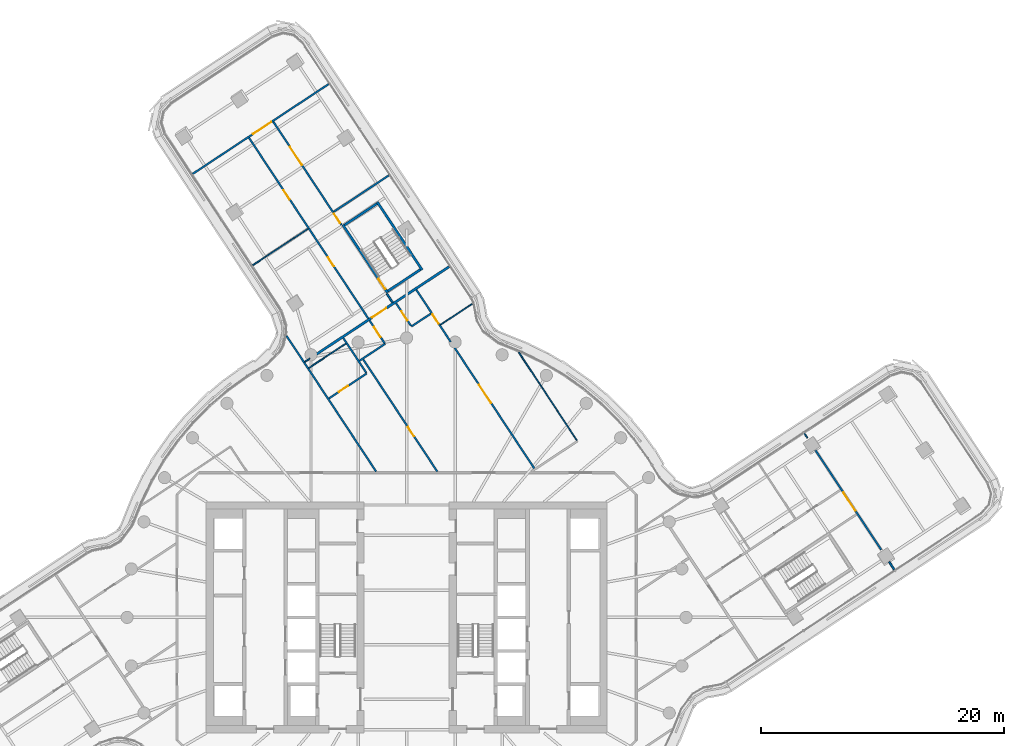
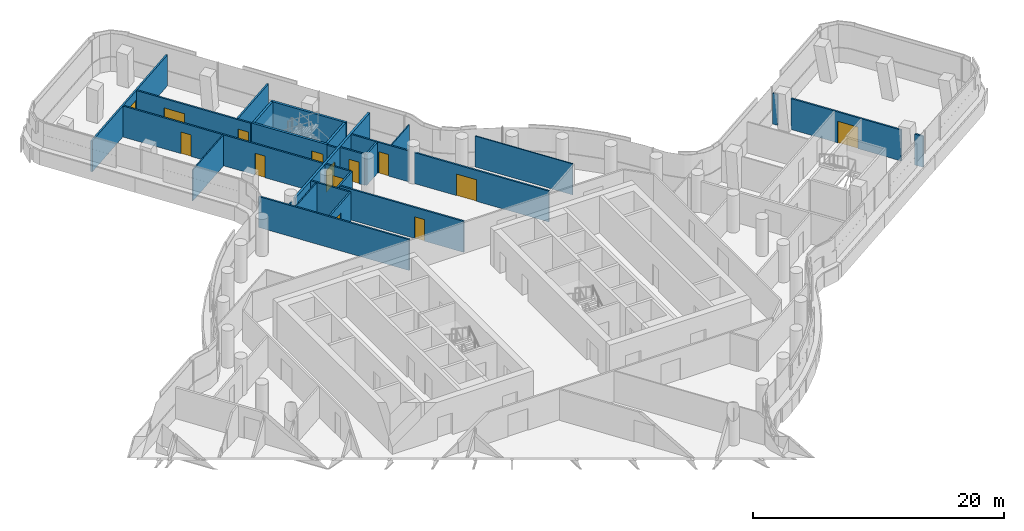
# One storey, part 26 of 35: 27 walls, 14 doors, 14 openings.
"""IFC4 building model written with IfcOpenShell, lengths in metres."""

from ifc_helpers import new_model, si_unit, direction, frame, frame_2d, origin, place, context, subcontext, project, spatial, polyline, rectangle, outline, extrude, material, layer, layer_set, type_object, element, fill, save


model = new_model("IFC4")

# Units and contexts
model_context = context("Model", 3, precision=1e-05, world=origin(), true_north=direction((0.0, 1.0)))
body_context = subcontext(model_context, "Body", "Model", "MODEL_VIEW")
ifc_project = project(units=[si_unit("LENGTHUNIT", "METRE"), si_unit("AREAUNIT", "SQUARE_METRE"), si_unit("VOLUMEUNIT", "CUBIC_METRE"), si_unit("PLANEANGLEUNIT", "RADIAN"), si_unit("MASSUNIT", "GRAM", prefix="KILO")], contexts=[model_context])

# Site, building, storey
site_placement = place(None, origin())
site = spatial("IfcSite", under=ifc_project, at=site_placement, CompositionType="ELEMENT")
building_placement = place(site_placement, origin())
building = spatial("IfcBuilding", under=site, at=building_placement, Name="Tamarind Cross Interchange Tower", CompositionType="ELEMENT")
storey_placement = place(building_placement, frame((0.0, 0.0, 155.5)))
storey = spatial("IfcBuildingStorey", under=building, at=storey_placement, Name="L38", CompositionType="ELEMENT", Elevation=155.5)

# Walls
ifc_material_1 = material(Name="Gypsum board partition on steel studs", Category="steel")
ifc_layer_1 = layer(ifc_material_1, 0.10009765625)
ifc_layer_set_1 = layer_set([ifc_layer_1], Name="Gypsum board partition on steel studs")
wall_type_1 = type_object("IfcWallType", Name="Partition 100 mm EI 90", PredefinedType="PARTITIONING", material=ifc_layer_set_1)
wall_1_placement = place(storey_placement, frame((9.2255859375, 21.8203125, 0.0), z_axis=(0.0, 0.0, 1.0), x_axis=(0.550974071804, -0.834522361713, 0.0)))
element("IfcWall", 1, at=wall_1_placement, inside=storey, type_object=wall_type_1, Name="Partition L38-027", PredefinedType="PARTITIONING", context=body_context, shape_type="SweptSolid", body=[
    extrude(rectangle(XDim=8.69189453125, YDim=0.10009765625, at=frame_2d((4.345947265625, 0.0))), origin(), (0.0, 0.0, 1.0), 3.010009765625),
])
wall_2_placement = place(storey_placement, frame((32.73681640625, 15.136962890625, 0.0), z_axis=(0.0, 0.0, 1.0), x_axis=(0.550610643737, -0.834762193085, 0.0)))
element("IfcWall", 2, at=wall_2_placement, inside=storey, type_object=wall_type_1, Name="Partition L38-034", PredefinedType="PARTITIONING", context=body_context, shape_type="SweptSolid", body=[
    extrude(rectangle(XDim=0.455322265625, YDim=0.10009765625, at=frame_2d((0.2275390625, 0.0))), origin(), (0.0, 0.0, 1.0), 3.010009765625),
])
wall_3_placement = place(storey_placement, frame((-12.66552734375, 28.976318359375, 0.0), z_axis=(0.0, 0.0, 1.0), x_axis=(0.834508907543, 0.550994449366, 0.0)))
element("IfcWall", 3, at=wall_3_placement, inside=storey, type_object=wall_type_1, Name="Partition L38-052", PredefinedType="PARTITIONING", context=body_context, shape_type="SweptSolid", body=[
    extrude(rectangle(XDim=5.450927734375, YDim=0.10009765625, at=frame_2d((2.7255859375, 0.0))), origin(), (0.0, 0.0, 1.0), 3.010009765625),
])
wall_4_placement = place(storey_placement, frame((-8.04248046875, 20.5244140625, 0.0), z_axis=(0.0, 0.0, 1.0), x_axis=(0.834491304173, 0.551021109632, 0.0)))
element("IfcWall", 4, at=wall_4_placement, inside=storey, type_object=wall_type_1, Name="Partition L38-054", PredefinedType="PARTITIONING", context=body_context, shape_type="SweptSolid", body=[
    extrude(rectangle(XDim=3.64990234375, YDim=0.10009765625, at=frame_2d((1.824951171875, 0.0))), origin(), (0.0, 0.0, 1.0), 3.010009765625),
])
wall_5_placement = place(storey_placement, frame((2.794921875, 24.082275390625, 0.0), z_axis=(0.0, 0.0, 1.0), x_axis=(0.83472341034, 0.550669436441, 0.0)))
element("IfcWall", 5, at=wall_5_placement, inside=storey, type_object=wall_type_1, Name="Partition L38-056", PredefinedType="PARTITIONING", context=body_context, shape_type="SweptSolid", body=[
    extrude(rectangle(XDim=3.14990234375, YDim=0.10009765625, at=frame_2d((1.574951171875, 0.0))), origin(), (0.0, 0.0, 1.0), 3.010009765625),
])
wall_6_placement = place(storey_placement, frame((-8.3740234375, 21.0263671875, 0.0), z_axis=(0.0, 0.0, 1.0), x_axis=(0.834587667003, 0.550875145642, 0.0)))
element("IfcWall", 6, at=wall_6_placement, inside=storey, type_object=wall_type_1, Name="Partition L38-057", PredefinedType="PARTITIONING", context=body_context, shape_type="SweptSolid", body=[
    extrude(rectangle(XDim=0.516357421875, YDim=0.10009765625, at=frame_2d((0.25830078125, 0.0))), origin(), (0.0, 0.0, 1.0), 3.010009765625),
])

# Wall, openings, doors
ifc_layer_2 = layer(ifc_material_1, 0.14990234375)
ifc_layer_set_2 = layer_set([ifc_layer_2], Name="Gypsum board partition on steel studs")
wall_type_2 = type_object("IfcWallType", Name="Partition 150 mm EI 120", PredefinedType="PARTITIONING", material=ifc_layer_set_2)
wall_7_placement = place(storey_placement, frame((-12.968994140625, 39.464111328125, 0.0), z_axis=(0.0, 0.0, 1.0), x_axis=(0.551034040248, -0.834482765842, 0.0)))
wall_7 = element("IfcWall", 7, at=wall_7_placement, inside=storey, type_object=wall_type_2, Name="Partition L38-010", PredefinedType="PARTITIONING", context=body_context, shape_type="SweptSolid", body=[
    extrude(rectangle(XDim=20.299560546875, YDim=0.14990234375, at=frame_2d((10.14990234375, 0.0))), origin(), (0.0, 0.0, 1.0), 3.010009765625),
])
opening_1_placement = place(wall_7_placement, frame((18.669921875, 0.0, 0.0)))
opening_1 = element("IfcOpeningElement", 8, at=opening_1_placement, cuts=wall_7, Name="Opening D03", PredefinedType="OPENING", context=body_context, shape_type="SweptSolid", body=[
    extrude(rectangle(XDim=1.0, YDim=2.10009765625, at=frame_2d((0.5, 1.050048828125))), frame((0.0, 0.0849609375, 0.0), z_axis=(0.0, -1.0, 0.0), x_axis=(1.0, 0.0, 0.0)), (0.0, 0.0, 1.0), 0.169921875),
])
opening_2_placement = place(wall_7_placement, frame((11.76953125, 0.0, 0.0)))
opening_2 = element("IfcOpeningElement", 9, at=opening_2_placement, cuts=wall_7, Name="Opening D04", PredefinedType="OPENING", context=body_context, shape_type="SweptSolid", body=[
    extrude(rectangle(XDim=0.89990234375, YDim=2.10009765625, at=frame_2d((0.449951171875, 1.050048828125))), frame((0.0, 0.0849609375, 0.0), z_axis=(0.0, -1.0, 0.0), x_axis=(1.0, 0.0, 0.0)), (0.0, 0.0, 1.0), 0.169921875),
])
opening_3_placement = place(wall_7_placement, frame((5.169921875, 0.0, 0.0)))
opening_3 = element("IfcOpeningElement", 10, at=opening_3_placement, cuts=wall_7, Name="Opening D05", PredefinedType="OPENING", context=body_context, shape_type="SweptSolid", body=[
    extrude(rectangle(XDim=0.89990234375, YDim=2.10009765625, at=frame_2d((0.449951171875, 1.050048828125))), frame((0.0, 0.0849609375, 0.0), z_axis=(0.0, -1.0, 0.0), x_axis=(1.0, 0.0, 0.0)), (0.0, 0.0, 1.0), 0.169921875),
])
ifc_material_2 = material(Name="Fire-resisting door set")
door_type_1 = type_object("IfcDoorType", Name="Interior door 1000 x 2100 FD60S", OperationType="SINGLE_SWING_LEFT", PredefinedType="DOOR", material=ifc_material_2)
door_1_placement = place(opening_1_placement, frame((1.0, 0.0, 0.0), z_axis=(0.0, 0.0, 1.0), x_axis=(-1.0, 0.0, 0.0)))
door_1 = element("IfcDoor", 11, at=door_1_placement, inside=storey, type_object=door_type_1, Name="Door D03", OperationType="SINGLE_SWING_RIGHT", OverallHeight=2.10009765625, OverallWidth=1.0, PredefinedType="DOOR", context=body_context, shape_type="SweptSolid", body=[
    extrude(rectangle(XDim=1.0, YDim=2.10009765625, at=frame_2d((0.5, 1.050048828125))), frame((0.0, 0.02490234375, 0.0), z_axis=(0.0, -1.0, 0.0), x_axis=(1.0, 0.0, 0.0)), (0.0, 0.0, 1.0), 0.050048828125),
])
fill(opening_1, door_1)
door_type_2 = type_object("IfcDoorType", Name="Interior door 900 x 2100 FD60S", OperationType="SINGLE_SWING_LEFT", PredefinedType="DOOR", material=ifc_material_2)
door_2_placement = place(opening_2_placement, frame((0.89990234375, 0.0, 0.0), z_axis=(0.0, 0.0, 1.0), x_axis=(-1.0, 0.0, 0.0)))
door_2 = element("IfcDoor", 12, at=door_2_placement, inside=storey, type_object=door_type_2, Name="Door D04", OperationType="SINGLE_SWING_RIGHT", OverallHeight=2.10009765625, OverallWidth=0.89990234375, PredefinedType="DOOR", context=body_context, shape_type="SweptSolid", body=[
    extrude(rectangle(XDim=0.89990234375, YDim=2.10009765625, at=frame_2d((0.449951171875, 1.050048828125))), frame((0.0, 0.02490234375, 0.0), z_axis=(0.0, -1.0, 0.0), x_axis=(1.0, 0.0, 0.0)), (0.0, 0.0, 1.0), 0.050048828125),
])
fill(opening_2, door_2)
door_3_placement = place(opening_3_placement, frame((0.89990234375, 0.0, 0.0), z_axis=(0.0, 0.0, 1.0), x_axis=(-1.0, 0.0, 0.0)))
door_3 = element("IfcDoor", 13, at=door_3_placement, inside=storey, type_object=door_type_2, Name="Door D05", OperationType="SINGLE_SWING_LEFT", OverallHeight=2.10009765625, OverallWidth=0.89990234375, PredefinedType="DOOR", context=body_context, shape_type="SweptSolid", body=[
    extrude(rectangle(XDim=0.89990234375, YDim=2.10009765625, at=frame_2d((0.449951171875, 1.050048828125))), frame((0.0, 0.02490234375, 0.0), z_axis=(0.0, -1.0, 0.0), x_axis=(1.0, 0.0, 0.0)), (0.0, 0.0, 1.0), 0.050048828125),
])
fill(opening_3, door_3)

wall_8_placement = place(storey_placement, frame((-10.9658203125, 40.787109375, 0.0), z_axis=(0.0, 0.0, 1.0), x_axis=(0.550975512039, -0.83452141083, 0.0)))
wall_8 = element("IfcWall", 14, at=wall_8_placement, inside=storey, type_object=wall_type_2, Name="Partition L38-011", PredefinedType="PARTITIONING", context=body_context, shape_type="SweptSolid", body=[
    extrude(rectangle(XDim=10.179931640625, YDim=0.14990234375, at=frame_2d((5.08984375, 0.0))), origin(), (0.0, 0.0, 1.0), 3.010009765625),
])
opening_4_placement = place(wall_8_placement, frame((2.469970703125, 0.0, 0.0)))
opening_4 = element("IfcOpeningElement", 15, at=opening_4_placement, cuts=wall_8, Name="Opening D06", PredefinedType="OPENING", context=body_context, shape_type="SweptSolid", body=[
    extrude(rectangle(XDim=1.800048828125, YDim=2.10009765625, at=frame_2d((0.89990234375, 1.050048828125))), frame((0.0, 0.0849609375, 0.0), z_axis=(0.0, -1.0, 0.0), x_axis=(1.0, 0.0, 0.0)), (0.0, 0.0, 1.0), 0.169921875),
])
opening_5_placement = place(wall_8_placement, frame((9.0703125, 0.0, 0.0)))
opening_5 = element("IfcOpeningElement", 16, at=opening_5_placement, cuts=wall_8, Name="Opening D07", PredefinedType="OPENING", context=body_context, shape_type="SweptSolid", body=[
    extrude(rectangle(XDim=0.89990234375, YDim=2.10009765625, at=frame_2d((0.449951171875, 1.050048828125))), frame((0.0, 0.0849609375, 0.0), z_axis=(0.0, -1.0, 0.0), x_axis=(1.0, 0.0, 0.0)), (0.0, 0.0, 1.0), 0.169921875),
])
door_type_3 = type_object("IfcDoorType", Name="Interior door 1800 x 2100 FD60S", OperationType="DOUBLE_DOOR_SINGLE_SWING", PredefinedType="DOOR", material=ifc_material_2)
door_4_placement = place(opening_4_placement, origin())
door_4 = element("IfcDoor", 17, at=door_4_placement, inside=storey, type_object=door_type_3, Name="Door D06", OperationType="DOUBLE_DOOR_SINGLE_SWING", OverallHeight=2.10009765625, OverallWidth=1.800048828125, PredefinedType="DOOR", context=body_context, shape_type="SweptSolid", body=[
    extrude(rectangle(XDim=1.800048828125, YDim=2.10009765625, at=frame_2d((0.89990234375, 1.050048828125))), frame((0.0, 0.02490234375, 0.0), z_axis=(0.0, -1.0, 0.0), x_axis=(1.0, 0.0, 0.0)), (0.0, 0.0, 1.0), 0.050048828125),
])
fill(opening_4, door_4)
door_5_placement = place(opening_5_placement, origin())
door_5 = element("IfcDoor", 18, at=door_5_placement, inside=storey, type_object=door_type_2, Name="Door D07", OperationType="SINGLE_SWING_LEFT", OverallHeight=2.10009765625, OverallWidth=0.89990234375, PredefinedType="DOOR", context=body_context, shape_type="SweptSolid", body=[
    extrude(rectangle(XDim=0.89990234375, YDim=2.10009765625, at=frame_2d((0.449951171875, 1.050048828125))), frame((0.0, 0.02490234375, 0.0), z_axis=(0.0, -1.0, 0.0), x_axis=(1.0, 0.0, 0.0)), (0.0, 0.0, 1.0), 0.050048828125),
])
fill(opening_5, door_5)

# Walls
wall_9_placement = place(storey_placement, frame((-1.62158203125, 26.6337890625, 0.0), z_axis=(0.0, 0.0, 1.0), x_axis=(0.551095072223, -0.83444246139, 0.0)))
element("IfcWall", 19, at=wall_9_placement, inside=storey, type_object=wall_type_2, Name="Partition L38-012", PredefinedType="PARTITIONING", context=body_context, shape_type="SweptSolid", body=[
    extrude(rectangle(XDim=0.86083984375, YDim=0.14990234375, at=frame_2d((0.430419921875, 0.0))), origin(), (0.0, 0.0, 1.0), 3.010009765625),
])
wall_10_placement = place(storey_placement, frame((-9.88427734375, 23.177001953125, 0.0), z_axis=(0.0, 0.0, 1.0), x_axis=(0.550963337995, -0.834529448363, 0.0)))
element("IfcWall", 20, at=wall_10_placement, inside=storey, type_object=wall_type_2, Name="Partition L38-015", PredefinedType="PARTITIONING", context=body_context, shape_type="SweptSolid", body=[
    extrude(rectangle(XDim=13.39306640625, YDim=0.14990234375, at=frame_2d((6.696533203125, 0.0))), origin(), (0.0, 0.0, 1.0), 3.010009765625),
])
wall_11_placement = place(storey_placement, frame((-5.209716796875, 22.99462890625, 0.0), z_axis=(0.0, 0.0, 1.0), x_axis=(0.550928577868, -0.834552396251, 0.0)))
element("IfcWall", 21, at=wall_11_placement, inside=storey, type_object=wall_type_2, Name="Partition L38-016", PredefinedType="PARTITIONING", context=body_context, shape_type="SweptSolid", body=[
    extrude(rectangle(XDim=3.426025390625, YDim=0.14990234375, at=frame_2d((1.712890625, 0.0))), origin(), (0.0, 0.0, 1.0), 3.010009765625),
])

# Wall, opening, door
wall_12_placement = place(storey_placement, frame((-3.56494140625, 21.228271484375, 0.0), z_axis=(0.0, 0.0, 1.0), x_axis=(0.55097538213, -0.834521496599, 0.0)))
wall_12 = element("IfcWall", 22, at=wall_12_placement, inside=storey, type_object=wall_type_2, Name="Partition L38-017", PredefinedType="PARTITIONING", context=body_context, shape_type="SweptSolid", body=[
    extrude(rectangle(XDim=11.05810546875, YDim=0.14990234375, at=frame_2d((5.529052734375, 0.0))), origin(), (0.0, 0.0, 1.0), 3.010009765625),
])
opening_6_placement = place(wall_12_placement, frame((6.669921875, 0.0, 0.0)))
opening_6 = element("IfcOpeningElement", 23, at=opening_6_placement, cuts=wall_12, Name="Opening D09", PredefinedType="OPENING", context=body_context, shape_type="SweptSolid", body=[
    extrude(rectangle(XDim=0.89990234375, YDim=2.10009765625, at=frame_2d((0.449951171875, 1.050048828125))), frame((0.0, 0.0849609375, 0.0), z_axis=(0.0, -1.0, 0.0), x_axis=(1.0, 0.0, 0.0)), (0.0, 0.0, 1.0), 0.169921875),
])
door_6_placement = place(opening_6_placement, frame((0.89990234375, 0.0, 0.0), z_axis=(0.0, 0.0, 1.0), x_axis=(-1.0, 0.0, 0.0)))
door_6 = element("IfcDoor", 24, at=door_6_placement, inside=storey, type_object=door_type_2, Name="Door D09", OperationType="SINGLE_SWING_RIGHT", OverallHeight=2.10009765625, OverallWidth=0.89990234375, PredefinedType="DOOR", context=body_context, shape_type="SweptSolid", body=[
    extrude(rectangle(XDim=0.89990234375, YDim=2.10009765625, at=frame_2d((0.449951171875, 1.050048828125))), frame((0.0, 0.02490234375, 0.0), z_axis=(0.0, -1.0, 0.0), x_axis=(1.0, 0.0, 0.0)), (0.0, 0.0, 1.0), 0.050048828125),
])
fill(opening_6, door_6)

wall_13_placement = place(storey_placement, frame((-0.8671875, 25.85546875, 0.0), z_axis=(0.0, 0.0, 1.0), x_axis=(0.550802281657, -0.834635756795, 0.0)))
wall_13 = element("IfcWall", 25, at=wall_13_placement, inside=storey, type_object=wall_type_2, Name="Partition L38-020", PredefinedType="PARTITIONING", context=body_context, shape_type="SweptSolid", body=[
    extrude(rectangle(XDim=2.21484375, YDim=0.14990234375, at=frame_2d((1.107421875, 0.0))), origin(), (0.0, 0.0, 1.0), 3.010009765625),
])
opening_7_placement = place(wall_13_placement, frame((0.794921875, 0.0, 0.0)))
opening_7 = element("IfcOpeningElement", 26, at=opening_7_placement, cuts=wall_13, Name="Opening D11", PredefinedType="OPENING", context=body_context, shape_type="SweptSolid", body=[
    extrude(rectangle(XDim=0.89990234375, YDim=2.10009765625, at=frame_2d((0.449951171875, 1.050048828125))), frame((0.0, 0.0849609375, 0.0), z_axis=(0.0, -1.0, 0.0), x_axis=(1.0, 0.0, 0.0)), (0.0, 0.0, 1.0), 0.169921875),
])
door_7_placement = place(opening_7_placement, origin())
door_7 = element("IfcDoor", 27, at=door_7_placement, inside=storey, type_object=door_type_2, Name="Door D11", OperationType="SINGLE_SWING_LEFT", OverallHeight=2.10009765625, OverallWidth=0.89990234375, PredefinedType="DOOR", context=body_context, shape_type="SweptSolid", body=[
    extrude(rectangle(XDim=0.89990234375, YDim=2.10009765625, at=frame_2d((0.449951171875, 1.050048828125))), frame((0.0, 0.02490234375, 0.0), z_axis=(0.0, -1.0, 0.0), x_axis=(1.0, 0.0, 0.0)), (0.0, 0.0, 1.0), 0.050048828125),
])
fill(opening_7, door_7)

wall_14_placement = place(storey_placement, frame((0.799072265625, 26.960693359375, 0.0), z_axis=(0.0, 0.0, 1.0), x_axis=(0.55102221272, -0.834490575794, 0.0)))
wall_14 = element("IfcWall", 28, at=wall_14_placement, inside=storey, type_object=wall_type_2, Name="Partition L38-021", PredefinedType="PARTITIONING", context=body_context, shape_type="SweptSolid", body=[
    extrude(rectangle(XDim=5.13916015625, YDim=0.14990234375, at=frame_2d((2.569580078125, 0.0))), origin(), (0.0, 0.0, 1.0), 3.010009765625),
])
opening_8_placement = place(wall_14_placement, frame((2.44921875, 0.0, 0.0)))
opening_8 = element("IfcOpeningElement", 29, at=opening_8_placement, cuts=wall_14, Name="Opening D12", PredefinedType="OPENING", context=body_context, shape_type="SweptSolid", body=[
    extrude(rectangle(XDim=0.89990234375, YDim=2.10009765625, at=frame_2d((0.449951171875, 1.050048828125))), frame((0.0, 0.0849609375, 0.0), z_axis=(0.0, -1.0, 0.0), x_axis=(1.0, 0.0, 0.0)), (0.0, 0.0, 1.0), 0.169921875),
])
door_8_placement = place(opening_8_placement, origin())
door_8 = element("IfcDoor", 30, at=door_8_placement, inside=storey, type_object=door_type_2, Name="Door D12", OperationType="SINGLE_SWING_LEFT", OverallHeight=2.10009765625, OverallWidth=0.89990234375, PredefinedType="DOOR", context=body_context, shape_type="SweptSolid", body=[
    extrude(rectangle(XDim=0.89990234375, YDim=2.10009765625, at=frame_2d((0.449951171875, 1.050048828125))), frame((0.0, 0.02490234375, 0.0), z_axis=(0.0, -1.0, 0.0), x_axis=(1.0, 0.0, 0.0)), (0.0, 0.0, 1.0), 0.050048828125),
])
fill(opening_8, door_8)

wall_15_placement = place(storey_placement, frame((3.87890625, 22.296630859375, 0.0), z_axis=(0.0, 0.0, 1.0), x_axis=(0.551037271507, -0.834480632136, 0.0)))
wall_15 = element("IfcWall", 31, at=wall_15_placement, inside=storey, type_object=wall_type_2, Name="Partition L38-022", PredefinedType="PARTITIONING", context=body_context, shape_type="SweptSolid", body=[
    extrude(rectangle(XDim=12.0302734375, YDim=0.14990234375, at=frame_2d((6.01513671875, 0.0))), origin(), (0.0, 0.0, 1.0), 3.010009765625),
])
opening_9_placement = place(wall_15_placement, frame((3.7822265625, 0.0, 0.0)))
opening_9 = element("IfcOpeningElement", 32, at=opening_9_placement, cuts=wall_15, Name="Opening D13", PredefinedType="OPENING", context=body_context, shape_type="SweptSolid", body=[
    extrude(rectangle(XDim=1.800048828125, YDim=2.10009765625, at=frame_2d((0.89990234375, 1.050048828125))), frame((0.0, 0.0849609375, 0.0), z_axis=(0.0, -1.0, 0.0), x_axis=(1.0, 0.0, 0.0)), (0.0, 0.0, 1.0), 0.169921875),
])
door_9_placement = place(opening_9_placement, origin())
door_9 = element("IfcDoor", 33, at=door_9_placement, inside=storey, type_object=door_type_3, Name="Door D13", OperationType="DOUBLE_DOOR_SINGLE_SWING", OverallHeight=2.10009765625, OverallWidth=1.800048828125, PredefinedType="DOOR", context=body_context, shape_type="SweptSolid", body=[
    extrude(rectangle(XDim=1.800048828125, YDim=2.10009765625, at=frame_2d((0.89990234375, 1.050048828125))), frame((0.0, 0.02490234375, 0.0), z_axis=(0.0, -1.0, 0.0), x_axis=(1.0, 0.0, 0.0)), (0.0, 0.0, 1.0), 0.050048828125),
])
fill(opening_9, door_9)

wall_16_placement = place(storey_placement, frame((33.645751953125, 13.759765625, 0.0), z_axis=(0.0, 0.0, 1.0), x_axis=(0.550935405121, -0.834547889209, 0.0)))
wall_16 = element("IfcWall", 34, at=wall_16_placement, inside=storey, type_object=wall_type_2, Name="Partition L38-035", PredefinedType="PARTITIONING", context=body_context, shape_type="SweptSolid", body=[
    extrude(rectangle(XDim=9.81689453125, YDim=0.14990234375, at=frame_2d((4.908447265625, 0.0))), origin(), (0.0, 0.0, 1.0), 3.010009765625),
])
opening_10_placement = place(wall_16_placement, frame((4.16650390625, 0.0, 0.0)))
opening_10 = element("IfcOpeningElement", 35, at=opening_10_placement, cuts=wall_16, Name="Opening D17", PredefinedType="OPENING", context=body_context, shape_type="SweptSolid", body=[
    extrude(rectangle(XDim=1.800048828125, YDim=2.10009765625, at=frame_2d((0.89990234375, 1.050048828125))), frame((0.0, 0.0849609375, 0.0), z_axis=(0.0, -1.0, 0.0), x_axis=(1.0, 0.0, 0.0)), (0.0, 0.0, 1.0), 0.169921875),
])
door_10_placement = place(opening_10_placement, origin())
door_10 = element("IfcDoor", 36, at=door_10_placement, inside=storey, type_object=door_type_3, Name="Door D17", OperationType="DOUBLE_DOOR_SINGLE_SWING", OverallHeight=2.10009765625, OverallWidth=1.800048828125, PredefinedType="DOOR", context=body_context, shape_type="SweptSolid", body=[
    extrude(rectangle(XDim=1.800048828125, YDim=2.10009765625, at=frame_2d((0.89990234375, 1.050048828125))), frame((0.0, 0.02490234375, 0.0), z_axis=(0.0, -1.0, 0.0), x_axis=(1.0, 0.0, 0.0)), (0.0, 0.0, 1.0), 0.050048828125),
])
fill(opening_10, door_10)

# Wall
wall_17_placement = place(storey_placement, frame((39.713134765625, 4.569091796875, 0.0), z_axis=(0.0, 0.0, 1.0), x_axis=(0.550801535585, -0.834636249151, 0.0)))
element("IfcWall", 37, at=wall_17_placement, inside=storey, type_object=wall_type_2, Name="Partition L38-036", PredefinedType="PARTITIONING", context=body_context, shape_type="SweptSolid", body=[
    extrude(rectangle(XDim=0.752685546875, YDim=0.14990234375, at=frame_2d((0.37646484375, 0.0))), origin(), (0.0, 0.0, 1.0), 3.010009765625),
])

# Wall, opening, door
wall_18_placement = place(storey_placement, frame((-17.608642578125, 36.497314453125, 0.0), z_axis=(0.0, 0.0, 1.0), x_axis=(0.834557661991, 0.550920601186, 0.0)))
wall_18 = element("IfcWall", 38, at=wall_18_placement, inside=storey, type_object=wall_type_2, Name="Partition L38-050", PredefinedType="PARTITIONING", context=body_context, shape_type="SweptSolid", body=[
    extrude(rectangle(XDim=13.40625, YDim=0.14990234375, at=frame_2d((6.703125, 0.0))), origin(), (0.0, 0.0, 1.0), 3.010009765625),
])
opening_11_placement = place(wall_18_placement, frame((5.956787109375, 0.0, 0.0)))
opening_11 = element("IfcOpeningElement", 39, at=opening_11_placement, cuts=wall_18, Name="Opening D29", PredefinedType="OPENING", context=body_context, shape_type="SweptSolid", body=[
    extrude(rectangle(XDim=1.800048828125, YDim=2.10009765625, at=frame_2d((0.89990234375, 1.050048828125))), frame((0.0, 0.0849609375, 0.0), z_axis=(0.0, -1.0, 0.0), x_axis=(1.0, 0.0, 0.0)), (0.0, 0.0, 1.0), 0.169921875),
])
door_11_placement = place(opening_11_placement, frame((1.800048828125, 0.0, 0.0), z_axis=(0.0, 0.0, 1.0), x_axis=(-1.0, 0.0, 0.0)))
door_11 = element("IfcDoor", 40, at=door_11_placement, inside=storey, type_object=door_type_3, Name="Door D29", OperationType="DOUBLE_DOOR_SINGLE_SWING", OverallHeight=2.10009765625, OverallWidth=1.800048828125, PredefinedType="DOOR", context=body_context, shape_type="SweptSolid", body=[
    extrude(rectangle(XDim=1.800048828125, YDim=2.10009765625, at=frame_2d((0.89990234375, 1.050048828125))), frame((0.0, 0.02490234375, 0.0), z_axis=(0.0, -1.0, 0.0), x_axis=(1.0, 0.0, 0.0)), (0.0, 0.0, 1.0), 0.050048828125),
])
fill(opening_11, door_11)

# Wall
wall_19_placement = place(storey_placement, frame((-5.984375, 33.387451171875, 0.0), z_axis=(0.0, 0.0, 1.0), x_axis=(0.834509559075, 0.550993462586, 0.0)))
element("IfcWall", 41, at=wall_19_placement, inside=storey, type_object=wall_type_2, Name="Partition L38-053", PredefinedType="PARTITIONING", context=body_context, shape_type="SweptSolid", body=[
    extrude(rectangle(XDim=5.4189453125, YDim=0.14990234375, at=frame_2d((2.70947265625, 0.0))), origin(), (0.0, 0.0, 1.0), 3.010009765625),
])

# Wall, opening, door
wall_20_placement = place(storey_placement, frame((-6.38623046875, 18.024169921875, 0.0), z_axis=(0.0, 0.0, 1.0), x_axis=(0.83468603123, 0.550726092781, 0.0)))
wall_20 = element("IfcWall", 42, at=wall_20_placement, inside=storey, type_object=wall_type_2, Name="Partition L38-055", PredefinedType="PARTITIONING", context=body_context, shape_type="SweptSolid", body=[
    extrude(rectangle(XDim=3.72021484375, YDim=0.14990234375, at=frame_2d((1.860107421875, 0.0))), origin(), (0.0, 0.0, 1.0), 3.010009765625),
])
opening_12_placement = place(wall_20_placement, frame((0.969970703125, 0.0, 0.0)))
opening_12 = element("IfcOpeningElement", 43, at=opening_12_placement, cuts=wall_20, Name="Opening D30", PredefinedType="OPENING", context=body_context, shape_type="SweptSolid", body=[
    extrude(rectangle(XDim=0.89990234375, YDim=2.10009765625, at=frame_2d((0.449951171875, 1.050048828125))), frame((0.0, 0.0849609375, 0.0), z_axis=(0.0, -1.0, 0.0), x_axis=(1.0, 0.0, 0.0)), (0.0, 0.0, 1.0), 0.169921875),
])
door_12_placement = place(opening_12_placement, origin())
door_12 = element("IfcDoor", 44, at=door_12_placement, inside=storey, type_object=door_type_2, Name="Door D30", OperationType="SINGLE_SWING_RIGHT", OverallHeight=2.10009765625, OverallWidth=0.89990234375, PredefinedType="DOOR", context=body_context, shape_type="SweptSolid", body=[
    extrude(rectangle(XDim=0.89990234375, YDim=2.10009765625, at=frame_2d((0.449951171875, 1.050048828125))), frame((0.0, 0.02490234375, 0.0), z_axis=(0.0, -1.0, 0.0), x_axis=(1.0, 0.0, 0.0)), (0.0, 0.0, 1.0), 0.050048828125),
])
fill(opening_12, door_12)

# Walls
wall_21_placement = place(storey_placement, frame((-3.875244140625, 21.119140625, 0.0), z_axis=(0.0, 0.0, 1.0), x_axis=(0.834339300492, 0.551251241863, 0.0)))
element("IfcWall", 45, at=wall_21_placement, inside=storey, type_object=wall_type_2, Name="Partition L38-059", PredefinedType="PARTITIONING", context=body_context, shape_type="SweptSolid", body=[
    extrude(rectangle(XDim=2.51904296875, YDim=0.14990234375, at=frame_2d((1.259521484375, 0.0))), origin(), (0.0, 0.0, 1.0), 3.010009765625),
])
wall_22_placement = place(storey_placement, frame((0.396240234375, 23.941162109375, 0.0), z_axis=(0.0, 0.0, 1.0), x_axis=(0.834370825501, 0.551203524619, 0.0)))
element("IfcWall", 46, at=wall_22_placement, inside=storey, type_object=wall_type_2, Name="Partition L38-060", PredefinedType="PARTITIONING", context=body_context, shape_type="SweptSolid", body=[
    extrude(rectangle(XDim=1.920166015625, YDim=0.14990234375, at=frame_2d((0.9599609375, 0.0))), origin(), (0.0, 0.0, 1.0), 3.010009765625),
])

# Wall, opening, door
ifc_layer_3 = layer(ifc_material_1, 0.199951171875)
ifc_layer_set_3 = layer_set([ifc_layer_3], Name="Gypsum board partition on steel studs")
wall_type_3 = type_object("IfcWallType", Name="Partition 200 mm EI 180", PredefinedType="PARTITIONING", material=ifc_layer_set_3)
wall_23_placement = place(storey_placement, frame((-7.5673828125, 21.55859375, 0.0), z_axis=(0.0, 0.0, 1.0), x_axis=(0.834644793963, 0.55078858731, 0.0)))
wall_23 = element("IfcWall", 47, at=wall_23_placement, inside=storey, type_object=wall_type_3, Name="Partition L38-058", PredefinedType="PARTITIONING", context=body_context, shape_type="SweptSolid", body=[
    extrude(rectangle(XDim=13.25732421875, YDim=0.199951171875, at=frame_2d((6.628662109375, 0.0))), origin(), (0.0, 0.0, 1.0), 3.010009765625),
])
opening_13_placement = place(wall_23_placement, frame((5.658447265625, 0.0, 0.0)))
opening_13 = element("IfcOpeningElement", 48, at=opening_13_placement, cuts=wall_23, Name="Opening D31", PredefinedType="OPENING", context=body_context, shape_type="SweptSolid", body=[
    extrude(rectangle(XDim=1.39990234375, YDim=2.10009765625, at=frame_2d((0.699951171875, 1.050048828125))), frame((0.0, 0.10986328125, 0.0), z_axis=(0.0, -1.0, 0.0), x_axis=(1.0, 0.0, 0.0)), (0.0, 0.0, 1.0), 0.219970703125),
])
door_type_4 = type_object("IfcDoorType", Name="Interior door 1400 x 2100 FD120S", OperationType="DOUBLE_DOOR_SINGLE_SWING", PredefinedType="DOOR", material=ifc_material_2)
door_13_placement = place(opening_13_placement, frame((1.39990234375, 0.0, 0.0), z_axis=(0.0, 0.0, 1.0), x_axis=(-1.0, 0.0, 0.0)))
door_13 = element("IfcDoor", 49, at=door_13_placement, inside=storey, type_object=door_type_4, Name="Door D31", OperationType="DOUBLE_DOOR_SINGLE_SWING", OverallHeight=2.10009765625, OverallWidth=1.39990234375, PredefinedType="DOOR", context=body_context, shape_type="SweptSolid", body=[
    extrude(rectangle(XDim=1.39990234375, YDim=2.10009765625, at=frame_2d((0.699951171875, 1.050048828125))), frame((0.0, 0.02490234375, 0.0), z_axis=(0.0, -1.0, 0.0), x_axis=(1.0, 0.0, 0.0)), (0.0, 0.0, 1.0), 0.050048828125),
])
fill(opening_13, door_13)

ifc_material_3 = material(Name="Concrete C40", Category="concrete")
ifc_layer_4 = layer(ifc_material_3, 0.199951171875)
ifc_layer_set_4 = layer_set([ifc_layer_4], Name="Concrete C40")
wall_type_4 = type_object("IfcWallType", Name="Stair shaft wall 200 mm Concrete C40", PredefinedType="SHEAR", material=ifc_layer_set_4)
wall_24_placement = place(storey_placement, frame((-1.559814453125, 26.721923828125, -0.139892578125), z_axis=(0.0, 0.0, 1.0), x_axis=(-0.550960993184, 0.834530996422, 0.0)))
wall_24 = element("IfcWall", 50, at=wall_24_placement, inside=storey, type_object=wall_type_4, Name="Core wall CWL-L38-ST4-H", PredefinedType="SHEAR", context=body_context, shape_type="SweptSolid", body=[
    extrude(rectangle(XDim=6.699951171875, YDim=0.199951171875, at=frame_2d((3.35009765625, 0.0))), origin(), (0.0, 0.0, 1.0), 3.14990234375),
])
opening_14_placement = place(wall_24_placement, frame((0.35009765625, 0.0, 0.0)))
opening_14 = element("IfcOpeningElement", 51, at=opening_14_placement, cuts=wall_24, Name="Opening ST4L38", PredefinedType="OPENING", context=body_context, shape_type="SweptSolid", body=[
    extrude(rectangle(XDim=1.0, YDim=2.10009765625, at=frame_2d((0.5, 1.050048828125))), frame((0.0, 0.10986328125, 0.0), z_axis=(0.0, -1.0, 0.0), x_axis=(1.0, 0.0, 0.0)), (0.0, 0.0, 1.0), 0.219970703125),
])
ifc_material_4 = material(Name="Steel, fire-resisting", Category="steel")
door_type_5 = type_object("IfcDoorType", Name="Core fire door 1000 x 2100 FD90", OperationType="SINGLE_SWING_LEFT", PredefinedType="DOOR", material=ifc_material_4)
door_14_placement = place(opening_14_placement, origin())
door_14 = element("IfcDoor", 52, at=door_14_placement, inside=storey, type_object=door_type_5, Name="L38 stair door ST4", OperationType="SINGLE_SWING_LEFT", OverallHeight=2.10009765625, OverallWidth=1.0, PredefinedType="DOOR", context=body_context, shape_type="SweptSolid", body=[
    extrude(rectangle(XDim=1.0, YDim=2.10009765625, at=frame_2d((0.5, 1.050048828125))), frame((0.0, 0.02490234375, 0.0), z_axis=(0.0, -1.0, 0.0), x_axis=(1.0, 0.0, 0.0)), (0.0, 0.0, 1.0), 0.050048828125),
])
fill(opening_14, door_14)

# Walls
wall_25_placement = place(storey_placement, frame((1.277587890625, 28.59521484375, -0.139892578125), z_axis=(0.0, 0.0, 1.0), x_axis=(-0.550960993184, 0.834530996422, 0.0)))
element("IfcWall", 53, at=wall_25_placement, inside=storey, type_object=wall_type_4, Name="Core wall CWL-L38-ST4-C", PredefinedType="SHEAR", context=body_context, shape_type="SweptSolid", body=[
    extrude(rectangle(XDim=6.699951171875, YDim=0.199951171875, at=frame_2d((3.35009765625, 0.0))), origin(), (0.0, 0.0, 1.0), 3.14990234375),
])
wall_26_placement = place(storey_placement, frame((1.13916015625, 28.62353515625, -0.139892578125), z_axis=(0.0, 0.0, 1.0), x_axis=(-0.834565209838, -0.550909167222, 0.0)))
element("IfcWall", 54, at=wall_26_placement, inside=storey, type_object=wall_type_4, Name="Core wall CWL-L38-ST4-CE", PredefinedType="SHEAR", context=body_context, shape_type="SweptSolid", body=[
    extrude(rectangle(XDim=3.199951171875, YDim=0.199951171875, at=frame_2d((1.60009765625, 0.0))), origin(), (0.0, 0.0, 1.0), 3.14990234375),
])
wall_27_placement = place(storey_placement, frame((0.0, 0.0, -0.139892578125)))
element("IfcWall", 55, at=wall_27_placement, inside=storey, type_object=wall_type_4, Name="Core wall CWL-L38-ST4-CF", PredefinedType="SHEAR", context=body_context, shape_type="SweptSolid", body=[
    extrude(outline(polyline([(-2.38720703125, 33.964599609375), (-2.497314453125, 34.131591796875), (-5.167724609375, 32.368408203125), (-5.0576171875, 32.201416015625), (-2.38720703125, 33.964599609375)])), origin(), (0.0, 0.0, 1.0), 3.14990234375),
])

save(model, "model.ifc")
